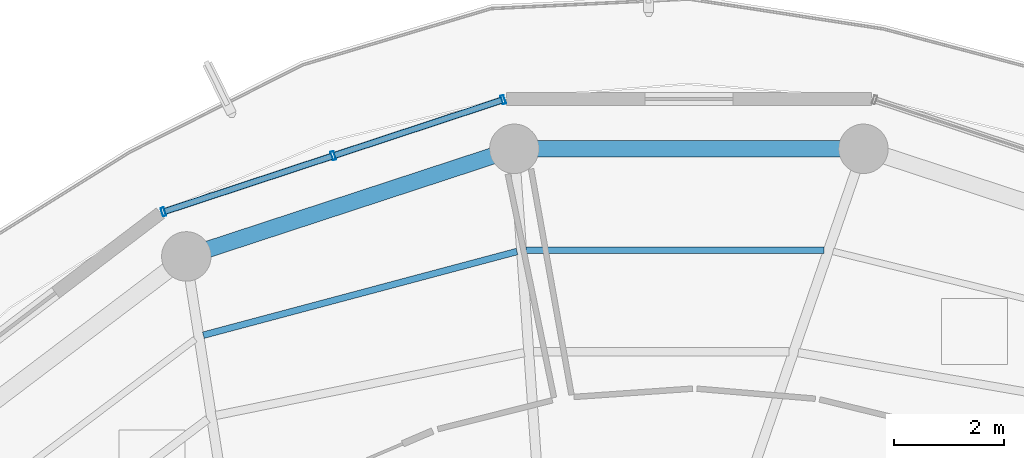
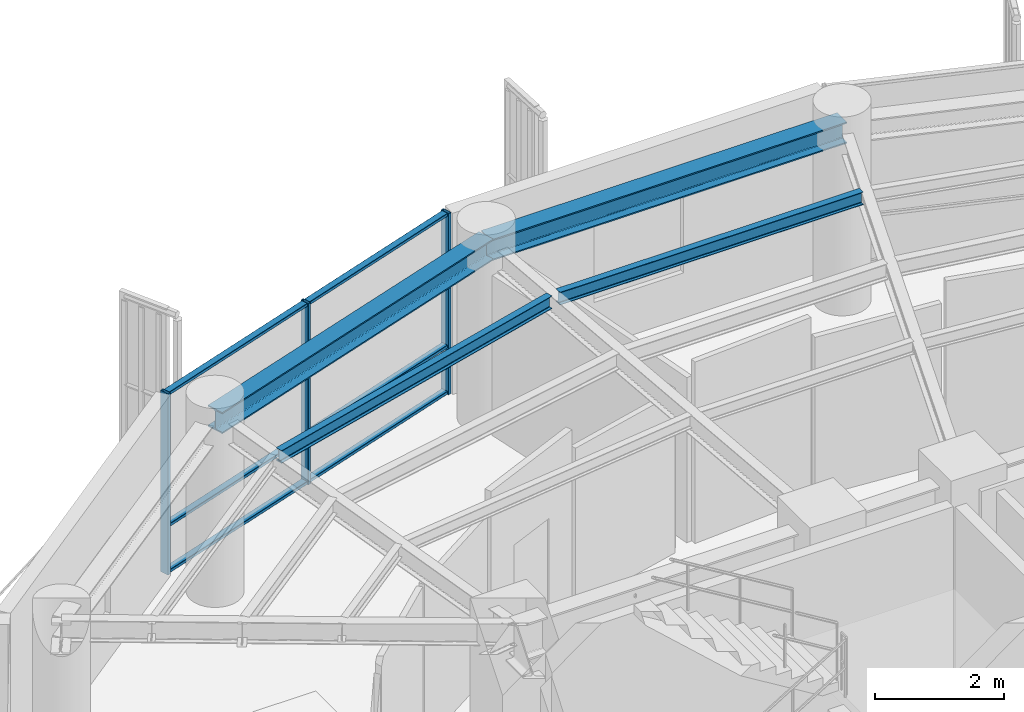
# One storey, part 13 of 23: 9 members, 4 beams, 1 element without a shape of its own.
"""IFC4 building model written with IfcOpenShell, lengths in metres."""

from ifc_helpers import new_model, si_unit, direction, frame, origin, origin_2d, place, context, subcontext, project, spatial, hollow_rectangle, i_section, extrude, material, layer, layer_set, material_profile, profile_set, type_object, element, aggregate, save


model = new_model("IFC4")

# Units and contexts
model_context = context("Model", 3, precision=1e-05, world=origin(), true_north=direction((0.0, 1.0)))
body_context = subcontext(model_context, "Body", "Model", "MODEL_VIEW")
ifc_project = project(units=[si_unit("LENGTHUNIT", "METRE"), si_unit("AREAUNIT", "SQUARE_METRE"), si_unit("VOLUMEUNIT", "CUBIC_METRE"), si_unit("PLANEANGLEUNIT", "RADIAN"), si_unit("MASSUNIT", "GRAM", prefix="KILO")], contexts=[model_context])

# Site, building, storey
site_placement = place(None, origin())
site = spatial("IfcSite", under=ifc_project, at=site_placement, CompositionType="ELEMENT")
building_placement = place(site_placement, origin())
building = spatial("IfcBuilding", under=site, at=building_placement, Name="Kelanora Arch Commons", CompositionType="ELEMENT")
storey_placement = place(building_placement, frame((0.0, 0.0, 289.949951171875)))
storey = spatial("IfcBuildingStorey", under=building, at=storey_placement, Name="L74", CompositionType="ELEMENT", Elevation=289.949951171875)

# Beams
ifc_material_1 = material(Name="Steel S355", Category="steel")
ifc_material_profile_1 = material_profile(ifc_material_1, i_section(OverallWidth=0.1201171875, OverallDepth=0.239990234375, WebThickness=0.006103515625, FlangeThickness=0.009765625, FilletRadius=0.014892578125, at=origin_2d()), Name="IPE240")
ifc_profile_set_1 = profile_set([ifc_material_profile_1], Name="Steel S355")
beam_type_1 = type_object("IfcBeamType", Name="BM-JST-02", PredefinedType="JOIST", material=ifc_profile_set_1)
beam_1_placement = place(storey_placement, frame((76.454345703125, 72.3837890625, 3.31005859375), z_axis=(-1.0, 0.0, 0.0), x_axis=(0.0, -1.0, 0.0)))
element("IfcBeam", 1, at=beam_1_placement, inside=storey, type_object=beam_type_1, Name="Secondary Chord Joist BJC-08 L74", PredefinedType="JOIST", context=body_context, shape_type="SweptSolid", body=[
    extrude(i_section(OverallWidth=0.1201171875, OverallDepth=0.239990234375, WebThickness=0.006103515625, FlangeThickness=0.009765625, FilletRadius=0.014892578125, at=origin_2d()), origin(), (0.0, 0.0, 1.0), 5.412841796875),
])
beam_2_placement = place(storey_placement, frame((70.87451171875, 72.36181640625, 3.31005859375), z_axis=(-0.966190312964, -0.257829942278, 0.0), x_axis=(0.257829942278, -0.966190312964, 0.0)))
element("IfcBeam", 2, at=beam_2_placement, inside=storey, type_object=beam_type_1, Name="Secondary Chord Joist BJC-10 L74", PredefinedType="JOIST", context=body_context, shape_type="SweptSolid", body=[
    extrude(i_section(OverallWidth=0.1201171875, OverallDepth=0.239990234375, WebThickness=0.006103515625, FlangeThickness=0.009765625, FilletRadius=0.014892578125, at=origin_2d()), origin(), (0.0, 0.0, 1.0), 5.904052734375),
])
ifc_material_profile_2 = material_profile(ifc_material_1, i_section(OverallWidth=0.300048828125, OverallDepth=0.39990234375, WebThickness=0.013427734375, FlangeThickness=0.02392578125, FilletRadius=0.027099609375, at=origin_2d()), Name="HEB400")
ifc_profile_set_2 = profile_set([ifc_material_profile_2], Name="Steel S355")
beam_type_2 = type_object("IfcBeamType", Name="BM-SPN-Z4", PredefinedType="SPANDREL", material=ifc_profile_set_2)
beam_3_placement = place(storey_placement, frame((77.17431640625, 74.2294921875, 3.22998046875), z_axis=(-1.0, 0.0, 0.0), x_axis=(0.0, -1.0, 0.0)))
element("IfcBeam", 3, at=beam_3_placement, inside=storey, type_object=beam_type_2, Name="Perimeter Spandrel Beam BS-08 L74", PredefinedType="SPANDREL", context=body_context, shape_type="SweptSolid", body=[
    extrude(i_section(OverallWidth=0.300048828125, OverallDepth=0.39990234375, WebThickness=0.013427734375, FlangeThickness=0.02392578125, FilletRadius=0.027099609375, at=origin_2d()), origin(), (0.0, 0.0, 1.0), 6.3486328125),
])
beam_4_placement = place(storey_placement, frame((70.82568359375, 74.2294921875, 3.22998046875), z_axis=(-0.950165923039, -0.311744636996, 0.0), x_axis=(0.311744636996, -0.950165923039, 0.0)))
element("IfcBeam", 4, at=beam_4_placement, inside=storey, type_object=beam_type_2, Name="Perimeter Spandrel Beam BS-10 L74", PredefinedType="SPANDREL", context=body_context, shape_type="SweptSolid", body=[
    extrude(i_section(OverallWidth=0.300048828125, OverallDepth=0.39990234375, WebThickness=0.013427734375, FlangeThickness=0.02392578125, FilletRadius=0.027099609375, at=origin_2d()), origin(), (0.0, 0.0, 1.0), 6.278564453125),
])

# Curtain wall, members
ifc_material_2 = material(Name="Terracotta ceramic-fritted low-E glass and aluminium", Category="masonry")
ifc_layer = layer(ifc_material_2, 0.18994140625)
ifc_layer_set = layer_set([ifc_layer], Name="Terracotta ceramic-fritted low-E glass and aluminium")
curtain_wall_type = type_object("IfcCurtainWallType", Name="CW-SYS-03", PredefinedType="NOTDEFINED", material=ifc_layer_set)
curtain_wall_placement = place(storey_placement, origin())
curtain_wall = element("IfcCurtainWall", 5, at=curtain_wall_placement, inside=storey, type_object=curtain_wall_type, Name="Unitised Curtain Wall L74-B05", PredefinedType="NOTDEFINED")
ifc_material_3 = material(Name="Powder-coated aluminium terracotta", Category="masonry")
ifc_material_profile_3 = material_profile(ifc_material_3, hollow_rectangle(XDim=0.159912109375, YDim=0.06005859375, WallThickness=0.0048828125, InnerFilletRadius=0.0048828125, OuterFilletRadius=0.010009765625, at=origin_2d()), Name="CWM160x60")
ifc_profile_set_3 = profile_set([ifc_material_profile_3], Name="Powder-coated aluminium terracotta")
member_type_1 = type_object("IfcMemberType", Name="CWM-STD", PredefinedType="MULLION", material=ifc_profile_set_3)
member_1_placement = place(storey_placement, frame((70.623291015625, 75.12158203125, 0.0), z_axis=(0.0, 0.0, 1.0), x_axis=(0.313252785344, -0.949669780752, 0.0)))
member_1 = element("IfcMember", 6, at=member_1_placement, type_object=member_type_1, Name="CW-03 mullion 1", PredefinedType="MULLION", context=body_context, shape_type="SweptSolid", body=[
    extrude(hollow_rectangle(XDim=0.159912109375, YDim=0.06005859375, WallThickness=0.0048828125, InnerFilletRadius=0.0048828125, OuterFilletRadius=0.010009765625, at=origin_2d()), origin(), (0.0, 0.0, 1.0), 3.4150390625),
])
member_2_placement = place(storey_placement, frame((67.532958984375, 74.102294921875, 0.0), z_axis=(0.0, 0.0, 1.0), x_axis=(0.313252785344, -0.949669780752, 0.0)))
member_2 = element("IfcMember", 7, at=member_2_placement, type_object=member_type_1, Name="CW-03 mullion 2", PredefinedType="MULLION", context=body_context, shape_type="SweptSolid", body=[
    extrude(hollow_rectangle(XDim=0.159912109375, YDim=0.06005859375, WallThickness=0.0048828125, InnerFilletRadius=0.0048828125, OuterFilletRadius=0.010009765625, at=origin_2d()), origin(), (0.0, 0.0, 1.0), 3.4150390625),
])
member_3_placement = place(storey_placement, frame((64.442626953125, 73.0830078125, 0.0), z_axis=(0.0, 0.0, 1.0), x_axis=(0.313252785344, -0.949669780752, 0.0)))
member_3 = element("IfcMember", 8, at=member_3_placement, type_object=member_type_1, Name="CW-03 mullion 3", PredefinedType="MULLION", context=body_context, shape_type="SweptSolid", body=[
    extrude(hollow_rectangle(XDim=0.159912109375, YDim=0.06005859375, WallThickness=0.0048828125, InnerFilletRadius=0.0048828125, OuterFilletRadius=0.010009765625, at=origin_2d()), origin(), (0.0, 0.0, 1.0), 3.4150390625),
])
ifc_material_profile_4 = material_profile(ifc_material_3, hollow_rectangle(XDim=0.1201171875, YDim=0.06005859375, WallThickness=0.0048828125, InnerFilletRadius=0.0048828125, OuterFilletRadius=0.010009765625, at=origin_2d()), Name="CWT120x60")
ifc_profile_set_4 = profile_set([ifc_material_profile_4], Name="Powder-coated aluminium terracotta")
member_type_2 = type_object("IfcMemberType", Name="CWT-STD", PredefinedType="USERDEFINED", material=ifc_profile_set_4)
member_4_placement = place(storey_placement, frame((70.5947265625, 75.1123046875, 0.030029296875), z_axis=(-0.949649574195, -0.313314037719, 0.0), x_axis=(0.313314037719, -0.949649574195, 0.0)))
member_4 = element("IfcMember", 9, at=member_4_placement, type_object=member_type_2, Name="CW-03 transom 1.1", ObjectType="TRANSOM", PredefinedType="USERDEFINED", context=body_context, shape_type="SweptSolid", body=[
    extrude(hollow_rectangle(XDim=0.1201171875, YDim=0.06005859375, WallThickness=0.0048828125, InnerFilletRadius=0.0048828125, OuterFilletRadius=0.010009765625, at=origin_2d()), origin(), (0.0, 0.0, 1.0), 3.194091796875),
])
member_5_placement = place(storey_placement, frame((70.5947265625, 75.1123046875, 0.900146484375), z_axis=(-0.949649574195, -0.313314037719, 0.0), x_axis=(0.313314037719, -0.949649574195, 0.0)))
member_5 = element("IfcMember", 10, at=member_5_placement, type_object=member_type_2, Name="CW-03 transom 1.2", ObjectType="TRANSOM", PredefinedType="USERDEFINED", context=body_context, shape_type="SweptSolid", body=[
    extrude(hollow_rectangle(XDim=0.1201171875, YDim=0.06005859375, WallThickness=0.0048828125, InnerFilletRadius=0.0048828125, OuterFilletRadius=0.010009765625, at=origin_2d()), origin(), (0.0, 0.0, 1.0), 3.194091796875),
])
member_6_placement = place(storey_placement, frame((70.5947265625, 75.1123046875, 3.385009765625), z_axis=(-0.949649574195, -0.313314037719, 0.0), x_axis=(0.313314037719, -0.949649574195, 0.0)))
member_6 = element("IfcMember", 11, at=member_6_placement, type_object=member_type_2, Name="CW-03 transom 1.3", ObjectType="TRANSOM", PredefinedType="USERDEFINED", context=body_context, shape_type="SweptSolid", body=[
    extrude(hollow_rectangle(XDim=0.1201171875, YDim=0.06005859375, WallThickness=0.0048828125, InnerFilletRadius=0.0048828125, OuterFilletRadius=0.010009765625, at=origin_2d()), origin(), (0.0, 0.0, 1.0), 3.194091796875),
])
member_7_placement = place(storey_placement, frame((67.50439453125, 74.0927734375, 0.030029296875), z_axis=(-0.949672315102, -0.313245102003, 0.0), x_axis=(0.313245102003, -0.949672315102, 0.0)))
member_7 = element("IfcMember", 12, at=member_7_placement, type_object=member_type_2, Name="CW-03 transom 2.1", ObjectType="TRANSOM", PredefinedType="USERDEFINED", context=body_context, shape_type="SweptSolid", body=[
    extrude(hollow_rectangle(XDim=0.1201171875, YDim=0.06005859375, WallThickness=0.0048828125, InnerFilletRadius=0.0048828125, OuterFilletRadius=0.010009765625, at=origin_2d()), origin(), (0.0, 0.0, 1.0), 3.19384765625),
])
member_8_placement = place(storey_placement, frame((67.50439453125, 74.0927734375, 0.900146484375), z_axis=(-0.949672315102, -0.313245102003, 0.0), x_axis=(0.313245102003, -0.949672315102, 0.0)))
member_8 = element("IfcMember", 13, at=member_8_placement, type_object=member_type_2, Name="CW-03 transom 2.2", ObjectType="TRANSOM", PredefinedType="USERDEFINED", context=body_context, shape_type="SweptSolid", body=[
    extrude(hollow_rectangle(XDim=0.1201171875, YDim=0.06005859375, WallThickness=0.0048828125, InnerFilletRadius=0.0048828125, OuterFilletRadius=0.010009765625, at=origin_2d()), origin(), (0.0, 0.0, 1.0), 3.19384765625),
])
member_9_placement = place(storey_placement, frame((67.50439453125, 74.0927734375, 3.385009765625), z_axis=(-0.949672315102, -0.313245102003, 0.0), x_axis=(0.313245102003, -0.949672315102, 0.0)))
member_9 = element("IfcMember", 14, at=member_9_placement, type_object=member_type_2, Name="CW-03 transom 2.3", ObjectType="TRANSOM", PredefinedType="USERDEFINED", context=body_context, shape_type="SweptSolid", body=[
    extrude(hollow_rectangle(XDim=0.1201171875, YDim=0.06005859375, WallThickness=0.0048828125, InnerFilletRadius=0.0048828125, OuterFilletRadius=0.010009765625, at=origin_2d()), origin(), (0.0, 0.0, 1.0), 3.19384765625),
])
aggregate(curtain_wall, [member_1, member_2, member_3, member_4, member_5, member_6, member_7, member_8, member_9])

save(model, "model.ifc")
